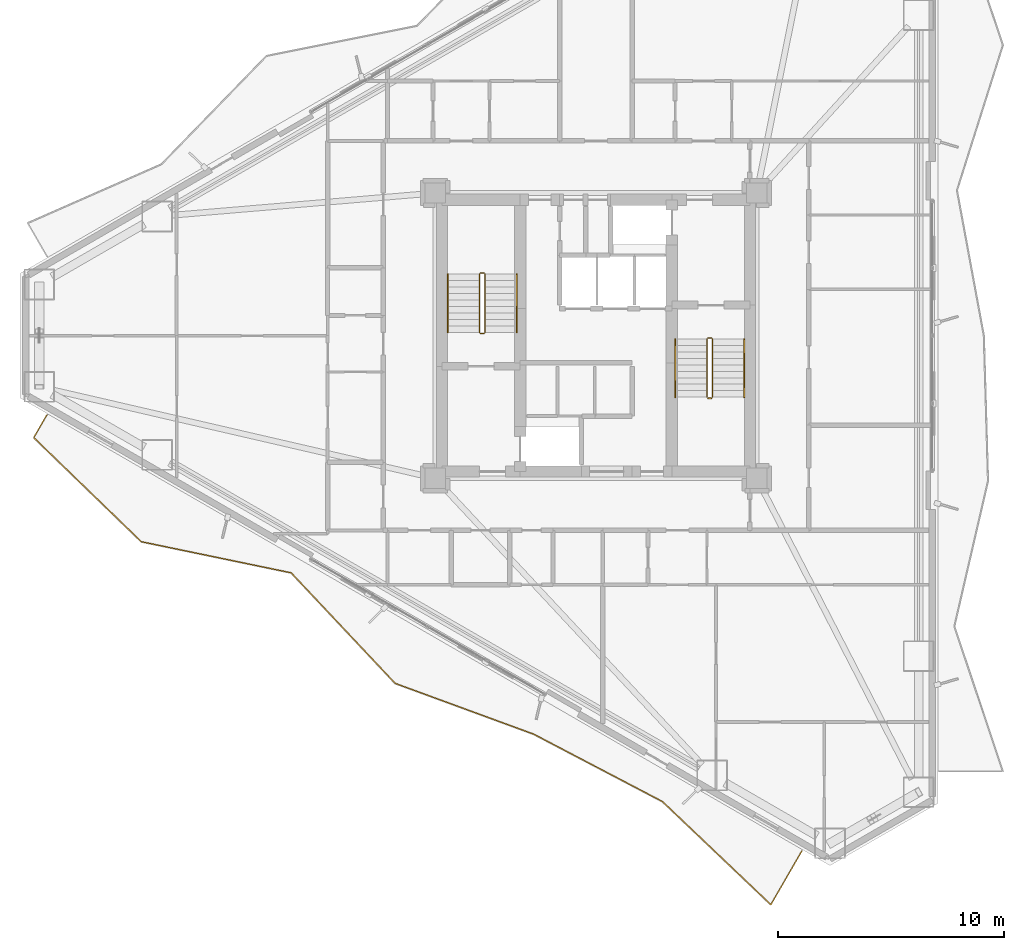
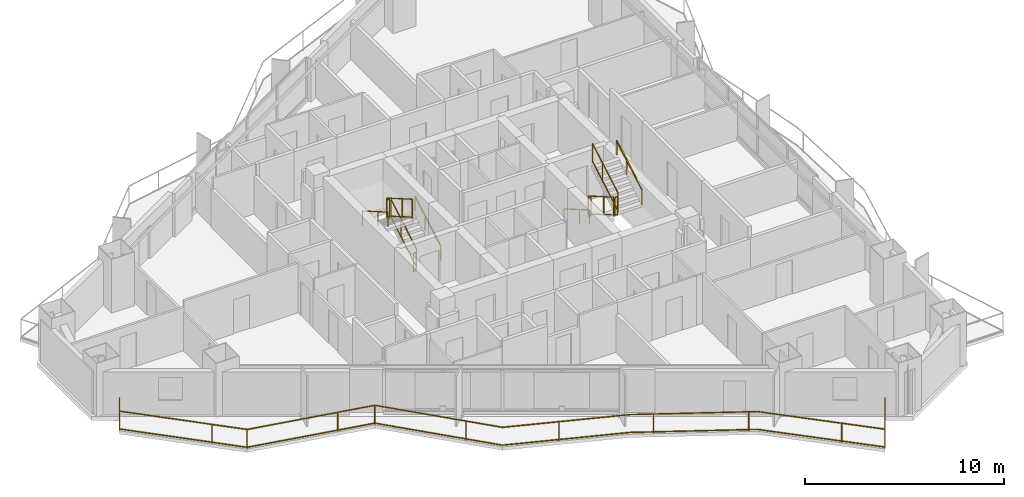
# One storey, part 18 of 19: 13 railings.
"""IFC4 building model written with IfcOpenShell, lengths in metres."""

import ifcopenshell
import ifcopenshell.guid

model = None  # the IFC model being written
_history = None  # IfcOwnerHistory: only IFC2X3 demands one
_inside = {}  # id of a spatial element -> (the spatial element, [elements in it])
_under = {}  # id of a project, library or spatial element -> (it, [spatial elements below it])
_declared = {}  # id of a project -> (the project, [libraries it declares])
_typed = {}  # id of a type object -> (the type object, [elements of that type])
_made_of = {}  # id of a material, layer set ... -> (it, [elements and type objects made of it])


def new_model(schema):
    """Start an empty IFC model of exactly this schema.

    Asked for "IFC4X3", IfcOpenShell would pick the latest addendum, in which some entities
    have other attributes; the version numbers below select the first issue.
    IFC2X3 requires an IfcOwnerHistory on every rooted entity: one is made here for all.
    """
    global model, _history
    if schema == "IFC4X3":
        model = ifcopenshell.file(schema_version=(4, 3, 0, 0))
    else:
        model = ifcopenshell.file(schema=schema)
    _inside.clear()
    _under.clear()
    _declared.clear()
    _typed.clear()
    _made_of.clear()
    _history = None
    if model.schema == "IFC2X3":
        org = make("IfcOrganization", Name="unknown")
        user = make(
            "IfcPersonAndOrganization",
            ThePerson=make("IfcPerson", FamilyName="unknown"),
            TheOrganization=org,
        )
        app = make(
            "IfcApplication",
            ApplicationDeveloper=org,
            Version="unknown",
            ApplicationFullName="unknown",
            ApplicationIdentifier="unknown",
        )
        _history = make(
            "IfcOwnerHistory",
            OwningUser=user,
            OwningApplication=app,
            ChangeAction="ADDED",
            CreationDate=0,
        )
    return model


def make(cls, **values):
    """One entity of the class cls with the attributes given. An attribute that is None is left unset."""
    return model.create_entity(
        cls, **{name: value for name, value in values.items() if value is not None}
    )


def rooted(cls, **values):
    """An entity with a GlobalId (a new one), such as an element, a storey or a relation."""
    return make(cls, GlobalId=ifcopenshell.guid.new(), OwnerHistory=_history, **values)


def si_unit(unit_type, name, prefix=None):
    """IfcSIUnit, for example si_unit("LENGTHUNIT", "METRE", prefix="MILLI")."""
    return make("IfcSIUnit", UnitType=unit_type, Prefix=prefix, Name=name)


def assignment(units):
    """IfcUnitAssignment: the units of a project."""
    return None if units is None else make("IfcUnitAssignment", Units=units)


def point(xyz):
    """IfcCartesianPoint."""
    return None if xyz is None else make("IfcCartesianPoint", Coordinates=xyz)


def direction(xyz):
    """IfcDirection."""
    return None if xyz is None else make("IfcDirection", DirectionRatios=xyz)


def frame(location, z_axis=None, x_axis=None):
    """IfcAxis2Placement3D, a coordinate frame: its origin and axes. An axis left out is left unset."""
    return make(
        "IfcAxis2Placement3D",
        Location=point(location),
        Axis=direction(z_axis),
        RefDirection=direction(x_axis),
    )


def frame_2d(location, x_axis=None):
    """IfcAxis2Placement2D, a coordinate frame in the plane: its origin and x axis."""
    return make(
        "IfcAxis2Placement2D", Location=point(location), RefDirection=direction(x_axis)
    )


def origin():
    """The frame at (0, 0, 0) with its axes left unset."""
    return frame((0.0, 0.0, 0.0))


def origin_2d():
    """The frame at (0, 0) in the plane with its x axis left unset."""
    return frame_2d((0.0, 0.0))


def place(relative_to, where):
    """IfcLocalPlacement: puts the frame where relative to a parent placement (None: the world)."""
    return make(
        "IfcLocalPlacement", PlacementRelTo=relative_to, RelativePlacement=where
    )


def context(
    kind, dimensions, precision=None, world=None, true_north=None, identifier=None
):
    """IfcGeometricRepresentationContext, for example the 3D "Model" context."""
    return make(
        "IfcGeometricRepresentationContext",
        ContextIdentifier=identifier,
        ContextType=kind,
        CoordinateSpaceDimension=dimensions,
        Precision=precision,
        WorldCoordinateSystem=world,
        TrueNorth=true_north,
    )


def subcontext(parent, identifier, kind, view, scale=None):
    """IfcGeometricRepresentationSubContext, for example "Body" below "Model"."""
    return make(
        "IfcGeometricRepresentationSubContext",
        ContextIdentifier=identifier,
        ContextType=kind,
        ParentContext=parent,
        TargetScale=scale,
        TargetView=view,
    )


def project(units=None, contexts=None):
    """IfcProject with its units and contexts."""
    return rooted(
        "IfcProject",
        Name="project",
        RepresentationContexts=contexts,
        UnitsInContext=assignment(units),
    )


def spatial(cls, under=None, at=None, **own):
    """A site, building, storey or space (cls), placed at a placement, below another one or the project."""
    s = rooted(cls, ObjectPlacement=at, **own)
    if under is not None:
        _under.setdefault(under.id(), (under, []))[1].append(s)
    return s


def profile(cls, at=None, kind="AREA", **sizes):
    """A parametric profile (cls). Its sizes go by their IFC names, for example OverallWidth=200.0."""
    return make(cls, ProfileType=kind, Position=at, **sizes)


def rectangle(**sizes):
    """IfcRectangleProfileDef."""
    return profile("IfcRectangleProfileDef", **sizes)


def extrude(swept, where, along, depth):
    """IfcExtrudedAreaSolid: the profile swept, set in the frame where, extruded along a direction by depth."""
    return make(
        "IfcExtrudedAreaSolid",
        SweptArea=swept,
        Position=where,
        ExtrudedDirection=direction(along),
        Depth=depth,
    )


def shape(context_of_items, identifier, shape_type, items):
    """IfcShapeRepresentation: the items that make up one representation, for example the "Body"."""
    return make(
        "IfcShapeRepresentation",
        ContextOfItems=context_of_items,
        RepresentationIdentifier=identifier,
        RepresentationType=shape_type,
        Items=items,
    )


def material(Name=None, Category=None):
    """IfcMaterial."""
    return make("IfcMaterial", Name=Name, Category=Category)


def made_of(thing, what):
    """Note that an element or type object is made of a material, layer set ...; save() writes the relation."""
    if what is not None:
        _made_of.setdefault(what.id(), (what, []))[1].append(thing)
    return thing


def type_object(cls, material=None, **own):
    """A type object (cls), such as IfcWallType, which elements share."""
    return made_of(rooted(cls, **own), material)


def element(
    cls,
    number,
    at=None,
    inside=None,
    cuts=None,
    type_object=None,
    material=None,
    context=None,
    identifier="Body",
    shape_type=None,
    held_by="IfcProductDefinitionShape",
    body=None,
    shapes=None,
    **own,
):
    """One element of the class cls, such as IfcWall. Its Tag is "e" and its number.

    at: its placement. inside: the storey or other place that contains it. cuts: it is an
    opening in that element (IfcRelVoidsElement). A single representation is given by context,
    identifier, shape_type and body (its items); several are given by shapes. held_by: the class
    of the entity that holds the representations. save() writes the other relations.
    """
    e = rooted(cls, Tag="e%d" % number, ObjectPlacement=at, **own)
    if body is not None:
        shapes = [shape(context, identifier, shape_type, body)]
    if shapes is not None:
        e.Representation = make(held_by, Representations=shapes)
    if inside is not None:
        _inside.setdefault(inside.id(), (inside, []))[1].append(e)
    if cuts is not None:
        rooted(
            "IfcRelVoidsElement", RelatingBuildingElement=cuts, RelatedOpeningElement=e
        )
    if type_object is not None:
        _typed.setdefault(type_object.id(), (type_object, []))[1].append(e)
    return made_of(e, material)


def aggregate(whole, parts):
    """IfcRelAggregates: a whole, such as a stair, and the parts it consists of."""
    return rooted("IfcRelAggregates", RelatingObject=whole, RelatedObjects=parts)


def save(model, path):
    """Write the relations noted so far, then the file.

    IfcRelAggregates (storeys below a building ...), IfcRelContainedInSpatialStructure (elements
    in a storey), IfcRelDefinesByType, IfcRelAssociatesMaterial and IfcRelDeclares: one each for
    every whole, place, type object, material and project.
    """
    for whole, parts in _under.values():
        aggregate(whole, parts)
    for where, things in _inside.values():
        rooted(
            "IfcRelContainedInSpatialStructure",
            RelatedElements=things,
            RelatingStructure=where,
        )
    for kind, things in _typed.values():
        rooted("IfcRelDefinesByType", RelatedObjects=things, RelatingType=kind)
    for what, things in _made_of.values():
        rooted("IfcRelAssociatesMaterial", RelatedObjects=things, RelatingMaterial=what)
    for by, libraries in _declared.values():
        rooted("IfcRelDeclares", RelatingContext=by, RelatedDefinitions=libraries)
    model.write(path)


model = new_model("IFC4")

# Units and contexts
model_context = context("Model", 3, precision=1e-05, world=origin(), true_north=direction((0.0, 1.0)))
body_context = subcontext(model_context, "Body", "Model", "MODEL_VIEW")
ifc_project = project(units=[si_unit("LENGTHUNIT", "METRE"), si_unit("AREAUNIT", "SQUARE_METRE"), si_unit("VOLUMEUNIT", "CUBIC_METRE"), si_unit("PLANEANGLEUNIT", "RADIAN"), si_unit("MASSUNIT", "GRAM", prefix="KILO")], contexts=[model_context])

# Site, building, storey
site_placement = place(None, origin())
site = spatial("IfcSite", under=ifc_project, at=site_placement, CompositionType="ELEMENT")
building_placement = place(site_placement, origin())
building = spatial("IfcBuilding", under=site, at=building_placement, Name="Mersakhor Tower and Convention Hall", CompositionType="ELEMENT")
storey_placement = place(building_placement, frame((0.0, 0.0, 45.60009765625)))
storey = spatial("IfcBuildingStorey", under=building, at=storey_placement, Name="L12", CompositionType="ELEMENT", Elevation=45.60009765625)

# Railings
ifc_material_1 = material(Name="Powder-coated galvanised steel and laminated glass balustrade", Category="steel")
railing_type_1 = type_object("IfcRailingType", Name="RL-BAL-1200", PredefinedType="BALUSTRADE", material=ifc_material_1)
railing_1_placement = place(storey_placement, frame((4.75048828125, 23.256591796875, 0.0)))
element("IfcRailing", 1, at=railing_1_placement, inside=storey, type_object=railing_type_1, Name="L12 Sinusoidal Balcony Balustrade F3", PredefinedType="BALUSTRADE", context=body_context, shape_type="SweptSolid", body=[
    extrude(rectangle(XDim=0.048095703125, YDim=0.048095703125, at=origin_2d()), frame((0.0, 0.0, 1.17578125), z_axis=(-0.499983322773, -0.866035032172, 0.0), x_axis=(0.866035032172, -0.499983322773, 0.0)), (0.0, 0.0, 1.0), 1.1611328125),
    extrude(rectangle(XDim=0.048095703125, YDim=0.048095703125, at=origin_2d()), frame((0.0, 0.0, 0.080078125), z_axis=(-0.499983322773, -0.866035032172, 0.0), x_axis=(0.866035032172, -0.499983322773, 0.0)), (0.0, 0.0, 1.0), 1.1611328125),
    extrude(rectangle(XDim=0.048095703125, YDim=0.048095703125, at=origin_2d()), frame((-0.58056640625, -1.005615234375, 1.17578125), z_axis=(0.718598572669, -0.695425115565, 0.0), x_axis=(0.695425115565, 0.718598572669, 0.0)), (0.0, 0.0, 1.0), 6.6162109375),
    extrude(rectangle(XDim=0.048095703125, YDim=0.048095703125, at=origin_2d()), frame((-0.58056640625, -1.005615234375, 0.080078125), z_axis=(0.718598572669, -0.695425115565, 0.0), x_axis=(0.695425115565, 0.718598572669, 0.0)), (0.0, 0.0, 1.0), 6.6162109375),
    extrude(rectangle(XDim=0.048095703125, YDim=0.048095703125, at=origin_2d()), frame((4.173828125, -5.606689453125, 1.17578125), z_axis=(0.979116339414, -0.203300747398, 0.0), x_axis=(0.203300747398, 0.979116339414, 0.0)), (0.0, 0.0, 1.0), 6.758544921875),
    extrude(rectangle(XDim=0.048095703125, YDim=0.048095703125, at=origin_2d()), frame((4.173828125, -5.606689453125, 0.080078125), z_axis=(0.979116339414, -0.203300747398, 0.0), x_axis=(0.203300747398, 0.979116339414, 0.0)), (0.0, 0.0, 1.0), 6.758544921875),
    extrude(rectangle(XDim=0.048095703125, YDim=0.048095703125, at=origin_2d()), frame((10.791259765625, -6.980712890625, 1.17578125), z_axis=(0.68515788321, -0.728394587483, 0.0), x_axis=(0.728394587483, 0.68515788321, 0.0)), (0.0, 0.0, 1.0), 6.70263671875),
    extrude(rectangle(XDim=0.048095703125, YDim=0.048095703125, at=origin_2d()), frame((10.791259765625, -6.980712890625, 0.080078125), z_axis=(0.68515788321, -0.728394587483, 0.0), x_axis=(0.728394587483, 0.68515788321, 0.0)), (0.0, 0.0, 1.0), 6.70263671875),
    extrude(rectangle(XDim=0.048095703125, YDim=0.048095703125, at=origin_2d()), frame((15.383544921875, -11.86279296875, 1.17578125), z_axis=(0.938913860817, -0.344152236614, 0.0), x_axis=(0.344152236614, 0.938913860817, 0.0)), (0.0, 0.0, 1.0), 6.514404296875),
    extrude(rectangle(XDim=0.048095703125, YDim=0.048095703125, at=origin_2d()), frame((15.383544921875, -11.86279296875, 0.080078125), z_axis=(0.938913860817, -0.344152236614, 0.0), x_axis=(0.344152236614, 0.938913860817, 0.0)), (0.0, 0.0, 1.0), 6.514404296875),
    extrude(rectangle(XDim=0.048095703125, YDim=0.048095703125, at=origin_2d()), frame((21.5, -14.104736328125, 1.17578125), z_axis=(0.885940865055, -0.46379821434, 0.0), x_axis=(0.46379821434, 0.885940865055, 0.0)), (0.0, 0.0, 1.0), 6.423583984375),
    extrude(rectangle(XDim=0.048095703125, YDim=0.048095703125, at=origin_2d()), frame((21.5, -14.104736328125, 0.080078125), z_axis=(0.885940865055, -0.46379821434, 0.0), x_axis=(0.46379821434, 0.885940865055, 0.0)), (0.0, 0.0, 1.0), 6.423583984375),
    extrude(rectangle(XDim=0.048095703125, YDim=0.048095703125, at=origin_2d()), frame((27.19091796875, -17.083984375, 1.17578125), z_axis=(0.724633723828, -0.689134215006, 0.0), x_axis=(0.689134215006, 0.724633723828, 0.0)), (0.0, 0.0, 1.0), 6.602294921875),
    extrude(rectangle(XDim=0.048095703125, YDim=0.048095703125, at=origin_2d()), frame((27.19091796875, -17.083984375, 0.080078125), z_axis=(0.724633723828, -0.689134215006, 0.0), x_axis=(0.689134215006, 0.724633723828, 0.0)), (0.0, 0.0, 1.0), 6.602294921875),
    extrude(rectangle(XDim=0.048095703125, YDim=0.048095703125, at=origin_2d()), frame((31.97509765625, -21.6337890625, 1.17578125), z_axis=(0.499999305434, 0.866025804792, 0.0), x_axis=(-0.866025804792, 0.499999305434, 0.0)), (0.0, 0.0, 1.0), 2.748046875),
    extrude(rectangle(XDim=0.048095703125, YDim=0.048095703125, at=origin_2d()), frame((31.97509765625, -21.6337890625, 0.080078125), z_axis=(0.499999305434, 0.866025804792, 0.0), x_axis=(-0.866025804792, 0.499999305434, 0.0)), (0.0, 0.0, 1.0), 2.748046875),
    extrude(rectangle(XDim=0.0419921875, YDim=0.0419921875, at=origin_2d()), origin(), (0.0, 0.0, 1.0), 1.15185546875),
    extrude(rectangle(XDim=0.0419921875, YDim=0.0419921875, at=origin_2d()), frame((-0.58056640625, -1.005615234375, 0.0)), (0.0, 0.0, 1.0), 1.15185546875),
    extrude(rectangle(XDim=0.0419921875, YDim=0.0419921875, at=origin_2d()), frame((2.86865234375, -4.34375, 0.0)), (0.0, 0.0, 1.0), 1.15185546875),
    extrude(rectangle(XDim=0.0419921875, YDim=0.0419921875, at=origin_2d()), frame((4.173828125, -5.606689453125, 0.0)), (0.0, 0.0, 1.0), 1.15185546875),
    extrude(rectangle(XDim=0.0419921875, YDim=0.0419921875, at=origin_2d()), frame((8.87353515625, -6.58251953125, 0.0)), (0.0, 0.0, 1.0), 1.15185546875),
    extrude(rectangle(XDim=0.0419921875, YDim=0.0419921875, at=origin_2d()), frame((10.791259765625, -6.980712890625, 0.0)), (0.0, 0.0, 1.0), 1.15185546875),
    extrude(rectangle(XDim=0.0419921875, YDim=0.0419921875, at=origin_2d()), frame((14.080078125, -10.47705078125, 0.0)), (0.0, 0.0, 1.0), 1.15185546875),
    extrude(rectangle(XDim=0.0419921875, YDim=0.0419921875, at=origin_2d()), frame((18.10400390625, -12.85986328125, 0.0)), (0.0, 0.0, 1.0), 1.15185546875),
    extrude(rectangle(XDim=0.0419921875, YDim=0.0419921875, at=origin_2d()), frame((22.548095703125, -14.653564453125, 0.0)), (0.0, 0.0, 1.0), 1.15185546875),
    extrude(rectangle(XDim=0.0419921875, YDim=0.0419921875, at=origin_2d()), frame((26.80078125, -16.879638671875, 0.0)), (0.0, 0.0, 1.0), 1.15185546875),
    extrude(rectangle(XDim=0.0419921875, YDim=0.0419921875, at=origin_2d()), frame((30.349853515625, -20.08837890625, 0.0)), (0.0, 0.0, 1.0), 1.15185546875),
    extrude(rectangle(XDim=0.0419921875, YDim=0.0419921875, at=origin_2d()), frame((31.97509765625, -21.6337890625, 0.0)), (0.0, 0.0, 1.0), 1.15185546875),
    extrude(rectangle(XDim=0.0419921875, YDim=0.0419921875, at=origin_2d()), frame((33.34912109375, -19.25390625, 0.0)), (0.0, 0.0, 1.0), 1.15185546875),
])
ifc_material_2 = material(Name="Brushed stainless steel handrail", Category="steel")
railing_type_2 = type_object("IfcRailingType", Name="RL-HR-900", PredefinedType="HANDRAIL", material=ifc_material_2)
railing_2_placement = place(storey_placement, frame((25.5, 26.89990234375, 0.164794921875)))
element("IfcRailing", 2, at=railing_2_placement, inside=storey, type_object=railing_type_2, Name="L12 ST-1 stair handrail 1", PredefinedType="HANDRAIL", context=body_context, shape_type="SweptSolid", body=[
    extrude(rectangle(XDim=0.048095703125, YDim=0.048095703125, at=origin_2d()), frame((0.0, 0.0, 0.8759765625), z_axis=(0.0, 0.865426285481, 0.501036270542), x_axis=(-1.0, 0.0, 0.0)), (0.0, 0.0, 1.0), 2.964111328125),
    extrude(rectangle(XDim=0.0419921875, YDim=0.0419921875, at=origin_2d()), origin(), (0.0, 0.0, 1.0), 0.851806640625),
    extrude(rectangle(XDim=0.0419921875, YDim=0.0419921875, at=origin_2d()), frame((0.0, 1.557861328125, 0.90185546875)), (0.0, 0.0, 1.0), 0.851806640625),
    extrude(rectangle(XDim=0.0419921875, YDim=0.0419921875, at=origin_2d()), frame((0.0, 2.565185546875, 1.485107421875)), (0.0, 0.0, 1.0), 0.851806640625),
])
railing_3_placement = place(storey_placement, frame((22.449951171875, 29.465087890625, 1.81494140625)))
element("IfcRailing", 3, at=railing_3_placement, inside=storey, type_object=railing_type_2, Name="L12 ST-1 stair handrail 2", PredefinedType="HANDRAIL", context=body_context, shape_type="SweptSolid", body=[
    extrude(rectangle(XDim=0.048095703125, YDim=0.048095703125, at=origin_2d()), frame((0.0, 0.0, 0.8759765625), z_axis=(0.0, -0.865461999751, 0.500974577186), x_axis=(1.0, 0.0, 0.0)), (0.0, 0.0, 1.0), 2.9638671875),
    extrude(rectangle(XDim=0.0419921875, YDim=0.0419921875, at=origin_2d()), origin(), (0.0, 0.0, 1.0), 0.851806640625),
    extrude(rectangle(XDim=0.0419921875, YDim=0.0419921875, at=origin_2d()), frame((0.0, -1.557861328125, 0.90185546875)), (0.0, 0.0, 1.0), 0.851806640625),
    extrude(rectangle(XDim=0.0419921875, YDim=0.0419921875, at=origin_2d()), frame((0.0, -2.565185546875, 1.48486328125)), (0.0, 0.0, 1.0), 0.851806640625),
])
railing_4_placement = place(storey_placement, frame((32.5, 26.60009765625, 0.164794921875)))
element("IfcRailing", 4, at=railing_4_placement, inside=storey, type_object=railing_type_2, Name="L12 ST-2 stair handrail 1", PredefinedType="HANDRAIL", context=body_context, shape_type="SweptSolid", body=[
    extrude(rectangle(XDim=0.048095703125, YDim=0.048095703125, at=origin_2d()), frame((0.0, 0.0, 0.8759765625), z_axis=(0.0, -0.865426285481, 0.501036270542), x_axis=(1.0, 0.0, 0.0)), (0.0, 0.0, 1.0), 2.964111328125),
    extrude(rectangle(XDim=0.0419921875, YDim=0.0419921875, at=origin_2d()), origin(), (0.0, 0.0, 1.0), 0.851806640625),
    extrude(rectangle(XDim=0.0419921875, YDim=0.0419921875, at=origin_2d()), frame((0.0, -1.557861328125, 0.90185546875)), (0.0, 0.0, 1.0), 0.851806640625),
    extrude(rectangle(XDim=0.0419921875, YDim=0.0419921875, at=origin_2d()), frame((0.0, -2.565185546875, 1.485107421875)), (0.0, 0.0, 1.0), 0.851806640625),
])
railing_5_placement = place(storey_placement, frame((35.550048828125, 24.034912109375, 1.81494140625)))
element("IfcRailing", 5, at=railing_5_placement, inside=storey, type_object=railing_type_2, Name="L12 ST-2 stair handrail 2", PredefinedType="HANDRAIL", context=body_context, shape_type="SweptSolid", body=[
    extrude(rectangle(XDim=0.048095703125, YDim=0.048095703125, at=origin_2d()), frame((0.0, 0.0, 0.8759765625), z_axis=(0.0, 0.865461999751, 0.500974577186), x_axis=(-1.0, 0.0, 0.0)), (0.0, 0.0, 1.0), 2.9638671875),
    extrude(rectangle(XDim=0.0419921875, YDim=0.0419921875, at=origin_2d()), origin(), (0.0, 0.0, 1.0), 0.851806640625),
    extrude(rectangle(XDim=0.0419921875, YDim=0.0419921875, at=origin_2d()), frame((0.0, 1.557861328125, 0.90185546875)), (0.0, 0.0, 1.0), 0.851806640625),
    extrude(rectangle(XDim=0.0419921875, YDim=0.0419921875, at=origin_2d()), frame((0.0, 2.565185546875, 1.48486328125)), (0.0, 0.0, 1.0), 0.851806640625),
])
ifc_material_3 = material(Name="Painted steel stair balustrade S355", Category="steel")
railing_type_3 = type_object("IfcRailingType", Name="RL-STG-1200", PredefinedType="BALUSTRADE", material=ifc_material_3)
railing_6_placement = place(storey_placement, frame((24.10009765625, 26.89990234375, 0.164794921875)))
element("IfcRailing", 6, at=railing_6_placement, inside=storey, type_object=railing_type_3, Name="L12 ST-1 stair guard 1", PredefinedType="BALUSTRADE", context=body_context, shape_type="SweptSolid", body=[
    extrude(rectangle(XDim=0.048095703125, YDim=0.048095703125, at=origin_2d()), frame((0.0, 0.0, 1.17578125), z_axis=(0.0, 0.865426285481, 0.501036270542), x_axis=(-1.0, 0.0, 0.0)), (0.0, 0.0, 1.0), 2.964111328125),
    extrude(rectangle(XDim=0.048095703125, YDim=0.048095703125, at=origin_2d()), frame((0.0, 0.0, 0.080078125), z_axis=(0.0, 0.865426285481, 0.501036270542), x_axis=(-1.0, 0.0, 0.0)), (0.0, 0.0, 1.0), 2.964111328125),
    extrude(rectangle(XDim=0.0419921875, YDim=0.0419921875, at=origin_2d()), origin(), (0.0, 0.0, 1.0), 1.15185546875),
    extrude(rectangle(XDim=0.0419921875, YDim=0.0419921875, at=origin_2d()), frame((0.0, 1.557861328125, 0.90185546875)), (0.0, 0.0, 1.0), 1.15185546875),
    extrude(rectangle(XDim=0.0419921875, YDim=0.0419921875, at=origin_2d()), frame((0.0, 2.565185546875, 1.485107421875)), (0.0, 0.0, 1.0), 1.15185546875),
])
railing_7_placement = place(storey_placement, frame((24.050048828125, 29.514892578125, 1.64990234375)))
element("IfcRailing", 7, at=railing_7_placement, inside=storey, type_object=railing_type_3, Name="L12 ST-1 stair guard 2", PredefinedType="BALUSTRADE", context=body_context, shape_type="SweptSolid", body=[
    extrude(rectangle(XDim=0.048095703125, YDim=0.048095703125, at=origin_2d()), frame((0.0, 0.0, 1.17578125), z_axis=(-1.0, 0.0, 0.0), x_axis=(0.0, -1.0, 0.0)), (0.0, 0.0, 1.0), 0.150146484375),
    extrude(rectangle(XDim=0.048095703125, YDim=0.048095703125, at=origin_2d()), frame((0.0, 0.0, 0.080078125), z_axis=(-1.0, 0.0, 0.0), x_axis=(0.0, -1.0, 0.0)), (0.0, 0.0, 1.0), 0.150146484375),
    extrude(rectangle(XDim=0.0419921875, YDim=0.0419921875, at=origin_2d()), origin(), (0.0, 0.0, 1.0), 1.15185546875),
    extrude(rectangle(XDim=0.0419921875, YDim=0.0419921875, at=origin_2d()), frame((-0.150146484375, 0.0, 0.0)), (0.0, 0.0, 1.0), 1.15185546875),
])
railing_8_placement = place(storey_placement, frame((23.85009765625, 29.465087890625, 1.81494140625)))
element("IfcRailing", 8, at=railing_8_placement, inside=storey, type_object=railing_type_3, Name="L12 ST-1 stair guard 3", PredefinedType="BALUSTRADE", context=body_context, shape_type="SweptSolid", body=[
    extrude(rectangle(XDim=0.048095703125, YDim=0.048095703125, at=origin_2d()), frame((0.0, 0.0, 1.17578125), z_axis=(0.0, -0.865461999751, 0.500974577186), x_axis=(1.0, 0.0, 0.0)), (0.0, 0.0, 1.0), 2.9638671875),
    extrude(rectangle(XDim=0.048095703125, YDim=0.048095703125, at=origin_2d()), frame((0.0, 0.0, 0.080078125), z_axis=(0.0, -0.865461999751, 0.500974577186), x_axis=(1.0, 0.0, 0.0)), (0.0, 0.0, 1.0), 2.9638671875),
    extrude(rectangle(XDim=0.0419921875, YDim=0.0419921875, at=origin_2d()), origin(), (0.0, 0.0, 1.0), 1.15185546875),
    extrude(rectangle(XDim=0.0419921875, YDim=0.0419921875, at=origin_2d()), frame((0.0, -1.557861328125, 0.90185546875)), (0.0, 0.0, 1.0), 1.15185546875),
    extrude(rectangle(XDim=0.0419921875, YDim=0.0419921875, at=origin_2d()), frame((0.0, -2.565185546875, 1.48486328125)), (0.0, 0.0, 1.0), 1.15185546875),
])
railing_9_placement = place(storey_placement, frame((24.050048828125, 26.85009765625, 0.0)))
element("IfcRailing", 9, at=railing_9_placement, inside=storey, type_object=railing_type_3, Name="L12 ST-1 stair guard 4", PredefinedType="BALUSTRADE", context=body_context, shape_type="SweptSolid", body=[
    extrude(rectangle(XDim=0.048095703125, YDim=0.048095703125, at=origin_2d()), frame((0.0, 0.0, 1.17578125), z_axis=(-1.0, 0.0, 0.0), x_axis=(0.0, -1.0, 0.0)), (0.0, 0.0, 1.0), 0.150146484375),
    extrude(rectangle(XDim=0.048095703125, YDim=0.048095703125, at=origin_2d()), frame((0.0, 0.0, 0.080078125), z_axis=(-1.0, 0.0, 0.0), x_axis=(0.0, -1.0, 0.0)), (0.0, 0.0, 1.0), 0.150146484375),
    extrude(rectangle(XDim=0.0419921875, YDim=0.0419921875, at=origin_2d()), origin(), (0.0, 0.0, 1.0), 1.15185546875),
    extrude(rectangle(XDim=0.0419921875, YDim=0.0419921875, at=origin_2d()), frame((-0.150146484375, 0.0, 0.0)), (0.0, 0.0, 1.0), 1.15185546875),
])
railing_10_placement = place(storey_placement, frame((33.89990234375, 26.60009765625, 0.164794921875)))
element("IfcRailing", 10, at=railing_10_placement, inside=storey, type_object=railing_type_3, Name="L12 ST-2 stair guard 1", PredefinedType="BALUSTRADE", context=body_context, shape_type="SweptSolid", body=[
    extrude(rectangle(XDim=0.048095703125, YDim=0.048095703125, at=origin_2d()), frame((0.0, 0.0, 1.17578125), z_axis=(0.0, -0.865426285481, 0.501036270542), x_axis=(1.0, 0.0, 0.0)), (0.0, 0.0, 1.0), 2.964111328125),
    extrude(rectangle(XDim=0.048095703125, YDim=0.048095703125, at=origin_2d()), frame((0.0, 0.0, 0.080078125), z_axis=(0.0, -0.865426285481, 0.501036270542), x_axis=(1.0, 0.0, 0.0)), (0.0, 0.0, 1.0), 2.964111328125),
    extrude(rectangle(XDim=0.0419921875, YDim=0.0419921875, at=origin_2d()), origin(), (0.0, 0.0, 1.0), 1.15185546875),
    extrude(rectangle(XDim=0.0419921875, YDim=0.0419921875, at=origin_2d()), frame((0.0, -1.557861328125, 0.90185546875)), (0.0, 0.0, 1.0), 1.15185546875),
    extrude(rectangle(XDim=0.0419921875, YDim=0.0419921875, at=origin_2d()), frame((0.0, -2.565185546875, 1.485107421875)), (0.0, 0.0, 1.0), 1.15185546875),
])
railing_11_placement = place(storey_placement, frame((33.949951171875, 23.985107421875, 1.64990234375)))
element("IfcRailing", 11, at=railing_11_placement, inside=storey, type_object=railing_type_3, Name="L12 ST-2 stair guard 2", PredefinedType="BALUSTRADE", context=body_context, shape_type="SweptSolid", body=[
    extrude(rectangle(XDim=0.048095703125, YDim=0.048095703125, at=origin_2d()), frame((0.0, 0.0, 1.17578125), z_axis=(1.0, 0.0, 0.0), x_axis=(0.0, 1.0, 0.0)), (0.0, 0.0, 1.0), 0.150146484375),
    extrude(rectangle(XDim=0.048095703125, YDim=0.048095703125, at=origin_2d()), frame((0.0, 0.0, 0.080078125), z_axis=(1.0, 0.0, 0.0), x_axis=(0.0, 1.0, 0.0)), (0.0, 0.0, 1.0), 0.150146484375),
    extrude(rectangle(XDim=0.0419921875, YDim=0.0419921875, at=origin_2d()), origin(), (0.0, 0.0, 1.0), 1.15185546875),
    extrude(rectangle(XDim=0.0419921875, YDim=0.0419921875, at=origin_2d()), frame((0.150146484375, 0.0, 0.0)), (0.0, 0.0, 1.0), 1.15185546875),
])
railing_12_placement = place(storey_placement, frame((34.14990234375, 24.034912109375, 1.81494140625)))
element("IfcRailing", 12, at=railing_12_placement, inside=storey, type_object=railing_type_3, Name="L12 ST-2 stair guard 3", PredefinedType="BALUSTRADE", context=body_context, shape_type="SweptSolid", body=[
    extrude(rectangle(XDim=0.048095703125, YDim=0.048095703125, at=origin_2d()), frame((0.0, 0.0, 1.17578125), z_axis=(0.0, 0.865461999751, 0.500974577186), x_axis=(-1.0, 0.0, 0.0)), (0.0, 0.0, 1.0), 2.9638671875),
    extrude(rectangle(XDim=0.048095703125, YDim=0.048095703125, at=origin_2d()), frame((0.0, 0.0, 0.080078125), z_axis=(0.0, 0.865461999751, 0.500974577186), x_axis=(-1.0, 0.0, 0.0)), (0.0, 0.0, 1.0), 2.9638671875),
    extrude(rectangle(XDim=0.0419921875, YDim=0.0419921875, at=origin_2d()), origin(), (0.0, 0.0, 1.0), 1.15185546875),
    extrude(rectangle(XDim=0.0419921875, YDim=0.0419921875, at=origin_2d()), frame((0.0, 1.557861328125, 0.90185546875)), (0.0, 0.0, 1.0), 1.15185546875),
    extrude(rectangle(XDim=0.0419921875, YDim=0.0419921875, at=origin_2d()), frame((0.0, 2.565185546875, 1.48486328125)), (0.0, 0.0, 1.0), 1.15185546875),
])
railing_13_placement = place(storey_placement, frame((33.949951171875, 26.64990234375, 0.0)))
element("IfcRailing", 13, at=railing_13_placement, inside=storey, type_object=railing_type_3, Name="L12 ST-2 stair guard 4", PredefinedType="BALUSTRADE", context=body_context, shape_type="SweptSolid", body=[
    extrude(rectangle(XDim=0.048095703125, YDim=0.048095703125, at=origin_2d()), frame((0.0, 0.0, 1.17578125), z_axis=(1.0, 0.0, 0.0), x_axis=(0.0, 1.0, 0.0)), (0.0, 0.0, 1.0), 0.150146484375),
    extrude(rectangle(XDim=0.048095703125, YDim=0.048095703125, at=origin_2d()), frame((0.0, 0.0, 0.080078125), z_axis=(1.0, 0.0, 0.0), x_axis=(0.0, 1.0, 0.0)), (0.0, 0.0, 1.0), 0.150146484375),
    extrude(rectangle(XDim=0.0419921875, YDim=0.0419921875, at=origin_2d()), origin(), (0.0, 0.0, 1.0), 1.15185546875),
    extrude(rectangle(XDim=0.0419921875, YDim=0.0419921875, at=origin_2d()), frame((0.150146484375, 0.0, 0.0)), (0.0, 0.0, 1.0), 1.15185546875),
])

save(model, "model.ifc")
